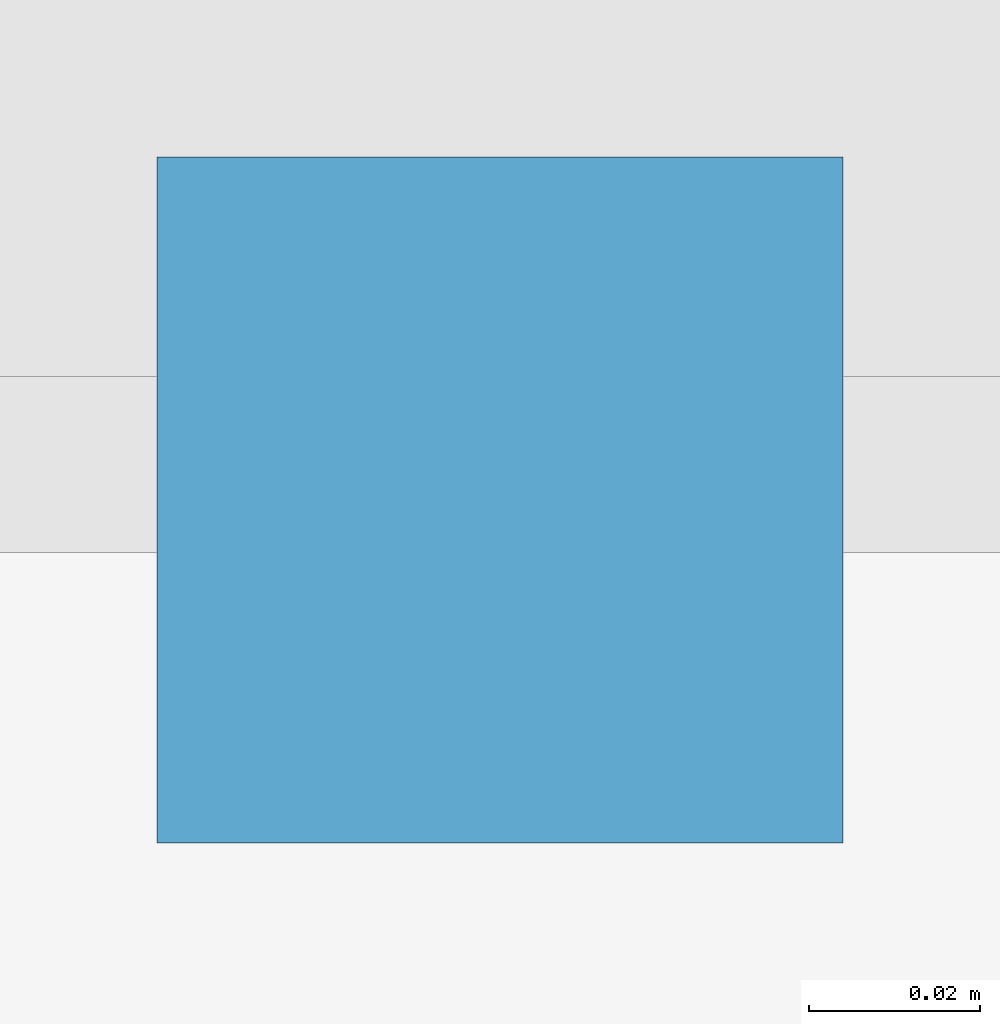
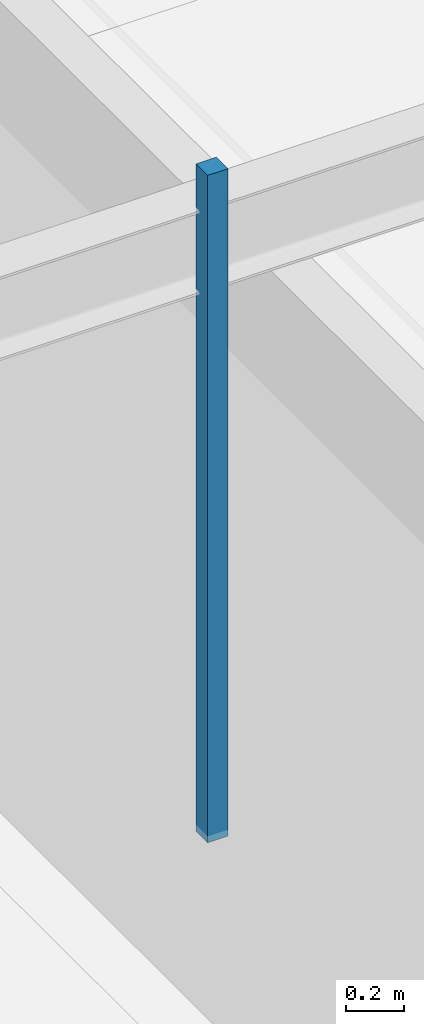
# One storey, part 101 of 114: 1 discrete accessory.
"""IFC4 building model written with IfcOpenShell, lengths in metres."""

from ifc_helpers import new_model, si_unit, direction, frame, origin, origin_2d, place, context, subcontext, project, spatial, rectangle, extrude, material, type_object, element, save


model = new_model("IFC4")

# Units and contexts
model_context = context("Model", 3, precision=1e-05, world=origin(), true_north=direction((0.0, 1.0)))
body_context = subcontext(model_context, "Body", "Model", "MODEL_VIEW")
ifc_project = project(units=[si_unit("LENGTHUNIT", "METRE"), si_unit("AREAUNIT", "SQUARE_METRE"), si_unit("VOLUMEUNIT", "CUBIC_METRE"), si_unit("PLANEANGLEUNIT", "RADIAN"), si_unit("MASSUNIT", "GRAM", prefix="KILO")], contexts=[model_context])

# Site, building, storey
site_placement = place(None, origin())
site = spatial("IfcSite", under=ifc_project, at=site_placement, CompositionType="ELEMENT")
building_placement = place(site_placement, origin())
building = spatial("IfcBuilding", under=site, at=building_placement, Name="Chalmorin Arch Market", CompositionType="ELEMENT")
storey_placement = place(building_placement, frame((0.0, 0.0, 9.60009765625)))
storey = spatial("IfcBuildingStorey", under=building, at=storey_placement, Name="L02", CompositionType="ELEMENT", Elevation=9.60009765625)

# Discrete accessory
ifc_material = material(Name="Galvanized Cold-Formed Steel", Category="steel")
discrete_accessory_type = type_object("IfcDiscreteAccessoryType", Name="CeilingSuspensionBracket-80x80", PredefinedType="BRACKET", material=ifc_material)
discrete_accessory_placement = place(storey_placement, frame((11.5, 32.300048828125, 3.20263671875), z_axis=(0.0, 0.0, 1.0), x_axis=(1.0, 0.0, 0.0)))
element("IfcDiscreteAccessory", 1, at=discrete_accessory_placement, inside=storey, type_object=discrete_accessory_type, Name="CSB-212", PredefinedType="BRACKET", context=body_context, shape_type="SweptSolid", body=[
    extrude(rectangle(XDim=0.080078125, YDim=0.080078125, at=origin_2d()), origin(), (0.0, 0.0, 1.0), 2.799072265625),
])

save(model, "model.ifc")
